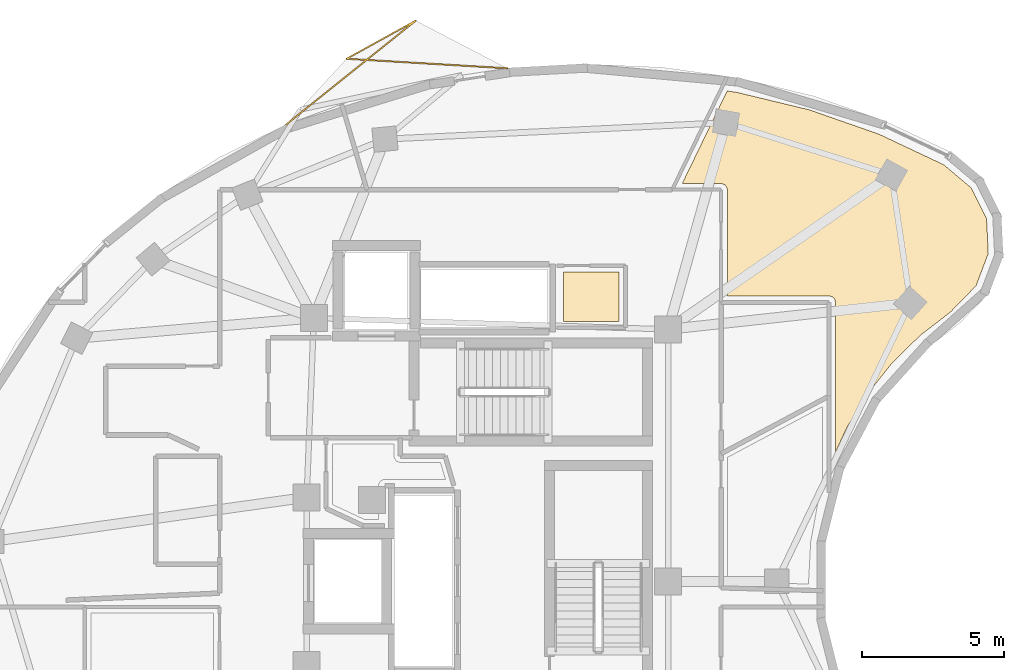
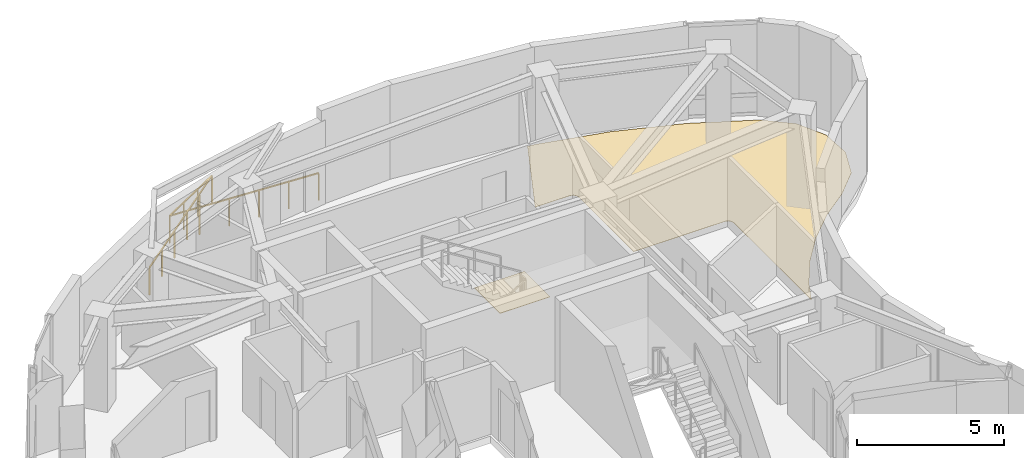
# One storey, part 8 of 8: 2 coverings, 1 railing.
"""IFC4 building model written with IfcOpenShell, lengths in metres."""

from ifc_helpers import new_model, si_unit, direction, frame, origin, origin_2d, place, context, subcontext, project, spatial, polyline, rectangle, outline, extrude, material, layer, layer_set, type_object, element, save


model = new_model("IFC4")

# Units and contexts
model_context = context("Model", 3, precision=1e-05, world=origin(), true_north=direction((0.0, 1.0)))
body_context = subcontext(model_context, "Body", "Model", "MODEL_VIEW")
ifc_project = project(units=[si_unit("LENGTHUNIT", "METRE"), si_unit("AREAUNIT", "SQUARE_METRE"), si_unit("VOLUMEUNIT", "CUBIC_METRE"), si_unit("PLANEANGLEUNIT", "RADIAN"), si_unit("MASSUNIT", "GRAM", prefix="KILO")], contexts=[model_context])

# Site, building, storey
site_placement = place(None, origin())
site = spatial("IfcSite", under=ifc_project, at=site_placement, CompositionType="ELEMENT")
building_placement = place(site_placement, origin())
building = spatial("IfcBuilding", under=site, at=building_placement, Name="Korentha Bioscience Tower", CompositionType="ELEMENT")
storey_placement = place(building_placement, frame((0.0, 0.0, 310.199951171875)))
storey = spatial("IfcBuildingStorey", under=building, at=storey_placement, Name="L71", CompositionType="ELEMENT", Elevation=310.199951171875)

# Covering
ifc_material_1 = material(Name="Vitrified Porcelain Tile", Category="ceramic")
ifc_layer_1 = layer(ifc_material_1, 0.014892578125, Name="Vitrified Porcelain Tile")
ifc_layer_set_1 = layer_set([ifc_layer_1], Name="Vitrified Porcelain Tile (FL-CER)")
covering_type_1 = type_object("IfcCoveringType", Name="Anti-Slip Ceramic Wet-Room Tile Flooring 15", PredefinedType="FLOORING", material=ifc_layer_set_1)
covering_1_placement = place(storey_placement, origin())
element("IfcCovering", 1, at=covering_1_placement, inside=storey, type_object=covering_type_1, Name="L71 Accessible Staff WC Floor Finish", PredefinedType="FLOORING", context=body_context, shape_type="SweptSolid", body=[
    extrude(outline(polyline([(33.8701171875, 36.1298828125), (33.8701171875, 37.8701171875), (35.830078125, 37.8701171875), (35.830078125, 36.1298828125), (33.8701171875, 36.1298828125)])), origin(), (0.0, 0.0, 1.0), 0.01513671875),
])

# Railing
ifc_material_2 = material(Name="Laminated Tempered Safety Glass", Category="glass")
railing_type = type_object("IfcRailingType", Name="Laminated Glass Balcony Guardrail 1150", PredefinedType="BALUSTRADE", material=ifc_material_2)
railing_placement = place(storey_placement, frame((31.895751953125, 45.0234375, 0.0)))
element("IfcRailing", 2, at=railing_placement, inside=storey, type_object=railing_type, Name="L71 Balcony Guardrail 01", PredefinedType="BALUSTRADE", context=body_context, shape_type="SweptSolid", body=[
    extrude(rectangle(XDim=0.048095703125, YDim=0.048095703125, at=origin_2d()), frame((0.0, 0.0, 1.1259765625), z_axis=(-0.998251669336, 0.05910672269, 0.0), x_axis=(-0.05910672269, -0.998251669336, 0.0)), (0.0, 0.0, 1.0), 5.654541015625),
    extrude(rectangle(XDim=0.048095703125, YDim=0.048095703125, at=origin_2d()), frame((-5.644775390625, 0.334228515625, 1.1259765625), z_axis=(0.87559307773, 0.483049440773, 0.0), x_axis=(-0.483049440773, 0.87559307773, 0.0)), (0.0, 0.0, 1.0), 2.775634765625),
    extrude(rectangle(XDim=0.048095703125, YDim=0.048095703125, at=origin_2d()), frame((-3.21435546875, 1.675048828125, 1.1259765625), z_axis=(-0.78026089132, -0.625454188152, 0.0), x_axis=(0.625454188152, -0.78026089132, 0.0)), (0.0, 0.0, 1.0), 5.841552734375),
    extrude(rectangle(XDim=0.0419921875, YDim=0.0419921875, at=origin_2d()), origin(), (0.0, 0.0, 1.0), 1.101806640625),
    extrude(rectangle(XDim=0.0419921875, YDim=0.0419921875, at=origin_2d()), frame((-1.12890625, 0.06689453125, 0.0)), (0.0, 0.0, 1.0), 1.101806640625),
    extrude(rectangle(XDim=0.0419921875, YDim=0.0419921875, at=origin_2d()), frame((-2.2578125, 0.1337890625, 0.0)), (0.0, 0.0, 1.0), 1.101806640625),
    extrude(rectangle(XDim=0.0419921875, YDim=0.0419921875, at=origin_2d()), frame((-3.386962890625, 0.200439453125, 0.0)), (0.0, 0.0, 1.0), 1.101806640625),
    extrude(rectangle(XDim=0.0419921875, YDim=0.0419921875, at=origin_2d()), frame((-4.515869140625, 0.267333984375, 0.0)), (0.0, 0.0, 1.0), 1.101806640625),
    extrude(rectangle(XDim=0.0419921875, YDim=0.0419921875, at=origin_2d()), frame((-5.644775390625, 0.334228515625, 0.0)), (0.0, 0.0, 1.0), 1.101806640625),
    extrude(rectangle(XDim=0.0419921875, YDim=0.0419921875, at=origin_2d()), frame((-4.834716796875, 0.78125, 0.0)), (0.0, 0.0, 1.0), 1.101806640625),
    extrude(rectangle(XDim=0.0419921875, YDim=0.0419921875, at=origin_2d()), frame((-4.0244140625, 1.22802734375, 0.0)), (0.0, 0.0, 1.0), 1.101806640625),
    extrude(rectangle(XDim=0.0419921875, YDim=0.0419921875, at=origin_2d()), frame((-3.21435546875, 1.675048828125, 0.0)), (0.0, 0.0, 1.0), 1.101806640625),
    extrude(rectangle(XDim=0.0419921875, YDim=0.0419921875, at=origin_2d()), frame((-4.1259765625, 0.9443359375, 0.0)), (0.0, 0.0, 1.0), 1.101806640625),
    extrude(rectangle(XDim=0.0419921875, YDim=0.0419921875, at=origin_2d()), frame((-5.03759765625, 0.213623046875, 0.0)), (0.0, 0.0, 1.0), 1.101806640625),
    extrude(rectangle(XDim=0.0419921875, YDim=0.0419921875, at=origin_2d()), frame((-5.948974609375, -0.51708984375, 0.0)), (0.0, 0.0, 1.0), 1.101806640625),
    extrude(rectangle(XDim=0.0419921875, YDim=0.0419921875, at=origin_2d()), frame((-6.860595703125, -1.247802734375, 0.0)), (0.0, 0.0, 1.0), 1.101806640625),
    extrude(rectangle(XDim=0.0419921875, YDim=0.0419921875, at=origin_2d()), frame((-7.772216796875, -1.978515625, 0.0)), (0.0, 0.0, 1.0), 1.101806640625),
])

# Covering
ifc_material_3 = material(Name="Chemical-Resistant Epoxy Resin", Category="polymer")
ifc_layer_2 = layer(ifc_material_3, 0.011962890625, Name="Chemical-Resistant Epoxy Resin")
ifc_layer_set_2 = layer_set([ifc_layer_2], Name="Chemical-Resistant Epoxy Resin (FL-EPX)")
covering_type_2 = type_object("IfcCoveringType", Name="Seamless Epoxy Laboratory Flooring 12", PredefinedType="FLOORING", material=ifc_layer_set_2)
covering_2_placement = place(storey_placement, origin())
element("IfcCovering", 3, at=covering_2_placement, inside=storey, type_object=covering_type_2, Name="L71 Patent and Regulatory Affairs Office 09 Floor Finish", PredefinedType="FLOORING", context=body_context, shape_type="SweptSolid", body=[
    extrude(outline(polyline([(39.9462890625, 44.180419921875), (42.5126953125, 43.56201171875), (44.9658203125, 42.702880859375), (47.234619140625, 41.63232421875), (48.195556640625, 40.8232421875), (48.736083984375, 39.7333984375), (48.79638671875, 38.518310546875), (48.3662109375, 37.380615234375), (47.46923828125, 36.458984375), (46.401123046875, 35.635986328125), (45.400146484375, 34.648681640625), (44.52978515625, 33.549072265625), (43.82421875, 32.397705078125), (43.427978515625, 31.53466796875), (43.427978515625, 36.798095703125), (43.3955078125, 36.915771484375), (43.316650390625, 36.9951171875), (43.208740234375, 37.027587890625), (39.6298828125, 37.028076171875), (39.6298828125, 40.75), (39.616455078125, 40.827880859375), (39.537353515625, 40.934326171875), (39.411865234375, 40.979736328125), (38.0458984375, 40.97998046875), (39.6220703125, 44.2255859375), (39.9462890625, 44.180419921875)])), origin(), (0.0, 0.0, 1.0), 0.011962890625),
])

save(model, "model.ifc")
